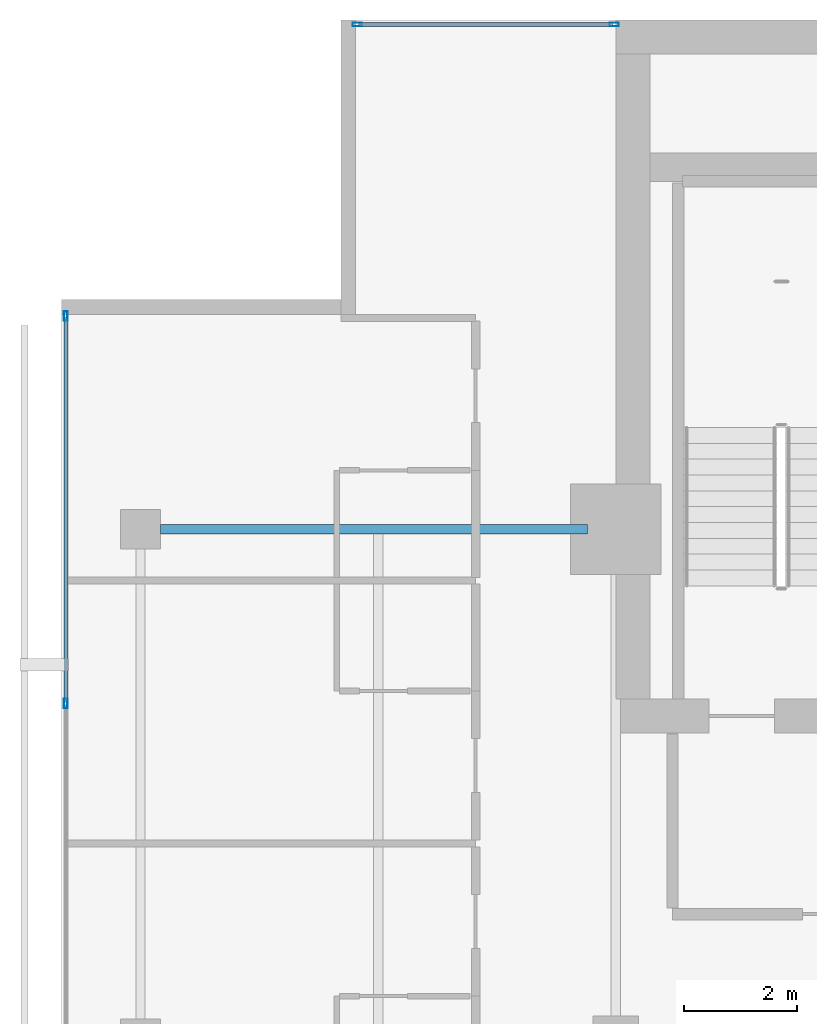
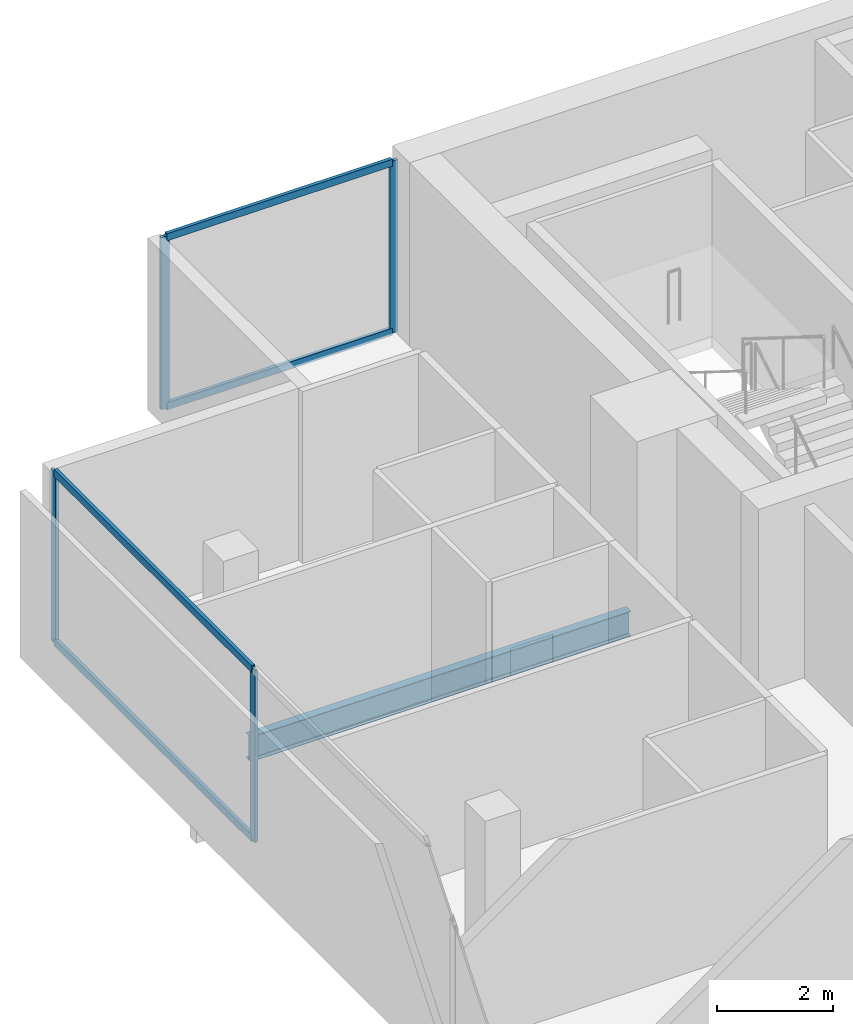
# One storey, part 16 of 26: 8 members, 1 beam, 2 elements without a shape of their own.
"""IFC4 building model written with IfcOpenShell, lengths in metres."""

from ifc_helpers import new_model, si_unit, direction, frame, origin, origin_2d, place, context, subcontext, project, spatial, hollow_rectangle, i_section, extrude, material, layer, layer_set, material_profile, profile_set, type_object, element, aggregate, save


model = new_model("IFC4")

# Units and contexts
model_context = context("Model", 3, precision=1e-05, world=origin(), true_north=direction((0.0, 1.0)))
body_context = subcontext(model_context, "Body", "Model", "MODEL_VIEW")
ifc_project = project(units=[si_unit("LENGTHUNIT", "METRE"), si_unit("AREAUNIT", "SQUARE_METRE"), si_unit("VOLUMEUNIT", "CUBIC_METRE"), si_unit("PLANEANGLEUNIT", "RADIAN"), si_unit("MASSUNIT", "GRAM", prefix="KILO")], contexts=[model_context])

# Site, building, storey
site_placement = place(None, origin())
site = spatial("IfcSite", under=ifc_project, at=site_placement, CompositionType="ELEMENT")
building_placement = place(site_placement, origin())
building = spatial("IfcBuilding", under=site, at=building_placement, Name="Maruvema Waterfront Hotel and Observation Tower", CompositionType="ELEMENT")
storey_placement = place(building_placement, frame((0.0, 0.0, 289.449951171875)))
storey = spatial("IfcBuildingStorey", under=building, at=storey_placement, Name="L71", CompositionType="ELEMENT", Elevation=289.449951171875)

# Curtain wall, members
ifc_material_1 = material(Name="Anodised bronze aluminium and solar-control low-E IGU", Category="aluminium")
ifc_layer = layer(ifc_material_1, 0.159912109375, Name="Zone 3 Champagne Inner Thermal Curtain Wall System CW-04")
ifc_layer_set = layer_set([ifc_layer], Name="Anodised bronze aluminium and solar-control low-E IGU")
curtain_wall_type = type_object("IfcCurtainWallType", Name="Zone 3 Champagne Inner Thermal Curtain Wall System CW-04", PredefinedType="USERDEFINED", material=ifc_layer_set)
curtain_wall_1_placement = place(storey_placement, origin())
curtain_wall_1 = element("IfcCurtainWall", 1, at=curtain_wall_1_placement, inside=storey, type_object=curtain_wall_type, Name="L71 Curtain Wall CW-L71-W", ObjectType="UNITISED CURTAIN WALL", PredefinedType="USERDEFINED")
ifc_material_2 = material(Name="Anodised architectural bronze aluminium", Category="aluminium")
ifc_material_profile_1 = material_profile(ifc_material_2, hollow_rectangle(XDim=0.070068359375, YDim=0.14990234375, WallThickness=0.00390625, at=origin_2d()), Name="ALU-T70x150")
ifc_profile_set_1 = profile_set([ifc_material_profile_1], Name="Anodised architectural bronze aluminium")
member_type_1 = type_object("IfcMemberType", Name="Curtain Wall Horizontal Transom ALU-T70x150", PredefinedType="USERDEFINED", material=ifc_profile_set_1)
member_1_placement = place(storey_placement, frame((15.47998046875, 48.739990234375, 0.030029296875), z_axis=(0.0, -1.0, 0.0), x_axis=(1.0, 0.0, 0.0)))
member_1 = element("IfcMember", 2, at=member_1_placement, type_object=member_type_1, Name="CW-04 transom 1.1", ObjectType="TRANSOM", PredefinedType="USERDEFINED", context=body_context, shape_type="SweptSolid", body=[
    extrude(hollow_rectangle(XDim=0.070068359375, YDim=0.14990234375, WallThickness=0.00390625, at=origin_2d()), origin(), (0.0, 0.0, 1.0), 6.7900390625),
])
member_2_placement = place(storey_placement, frame((15.47998046875, 48.739990234375, 3.580078125), z_axis=(0.0, -1.0, 0.0), x_axis=(1.0, 0.0, 0.0)))
member_2 = element("IfcMember", 3, at=member_2_placement, type_object=member_type_1, Name="CW-04 transom 1.2", ObjectType="TRANSOM", PredefinedType="USERDEFINED", context=body_context, shape_type="SweptSolid", body=[
    extrude(hollow_rectangle(XDim=0.070068359375, YDim=0.14990234375, WallThickness=0.00390625, at=origin_2d()), origin(), (0.0, 0.0, 1.0), 6.7900390625),
])

curtain_wall_2_placement = place(storey_placement, origin())
curtain_wall_2 = element("IfcCurtainWall", 4, at=curtain_wall_2_placement, inside=storey, type_object=curtain_wall_type, Name="L71 Curtain Wall CW-L71-NW", ObjectType="UNITISED CURTAIN WALL", PredefinedType="USERDEFINED")
member_3_placement = place(storey_placement, frame((25.139892578125, 53.919921875, 0.030029296875), z_axis=(-1.0, 0.0, 0.0), x_axis=(0.0, -1.0, 0.0)))
member_3 = element("IfcMember", 5, at=member_3_placement, type_object=member_type_1, Name="CW-04 transom 1.1", ObjectType="TRANSOM", PredefinedType="USERDEFINED", context=body_context, shape_type="SweptSolid", body=[
    extrude(hollow_rectangle(XDim=0.070068359375, YDim=0.14990234375, WallThickness=0.00390625, at=origin_2d()), origin(), (0.0, 0.0, 1.0), 4.47998046875),
])
member_4_placement = place(storey_placement, frame((25.139892578125, 53.919921875, 3.580078125), z_axis=(-1.0, 0.0, 0.0), x_axis=(0.0, -1.0, 0.0)))
member_4 = element("IfcMember", 6, at=member_4_placement, type_object=member_type_1, Name="CW-04 transom 1.2", ObjectType="TRANSOM", PredefinedType="USERDEFINED", context=body_context, shape_type="SweptSolid", body=[
    extrude(hollow_rectangle(XDim=0.070068359375, YDim=0.14990234375, WallThickness=0.00390625, at=origin_2d()), origin(), (0.0, 0.0, 1.0), 4.47998046875),
])

# Member
ifc_material_3 = material(Name="Anodised architectural bronze aluminium", Category="aluminium")
ifc_material_profile_2 = material_profile(ifc_material_3, hollow_rectangle(XDim=0.06494140625, YDim=0.1650390625, WallThickness=0.00390625, at=origin_2d()), Name="ALU-M65x165")
ifc_profile_set_2 = profile_set([ifc_material_profile_2], Name="Anodised architectural bronze aluminium")
member_type_2 = type_object("IfcMemberType", Name="Curtain Wall Primary Mullion ALU-M65x165", PredefinedType="MULLION", material=ifc_profile_set_2)
member_5_placement = place(storey_placement, frame((15.47998046875, 48.77001953125, 0.0), z_axis=(0.0, 0.0, 1.0), x_axis=(1.0, 0.0, 0.0)))
member_5 = element("IfcMember", 7, at=member_5_placement, type_object=member_type_2, Name="CW-04 mullion 1", PredefinedType="MULLION", context=body_context, shape_type="SweptSolid", body=[
    extrude(hollow_rectangle(XDim=0.06494140625, YDim=0.1650390625, WallThickness=0.00390625, at=origin_2d()), origin(), (0.0, 0.0, 1.0), 3.610107421875),
])

member_6_placement = place(storey_placement, frame((15.47998046875, 41.919921875, 0.0), z_axis=(0.0, 0.0, 1.0), x_axis=(1.0, 0.0, 0.0)))
member_6 = element("IfcMember", 8, at=member_6_placement, type_object=member_type_2, Name="CW-04 mullion 2", PredefinedType="MULLION", context=body_context, shape_type="SweptSolid", body=[
    extrude(hollow_rectangle(XDim=0.06494140625, YDim=0.1650390625, WallThickness=0.00390625, at=origin_2d()), origin(), (0.0, 0.0, 1.0), 3.610107421875),
])

aggregate(curtain_wall_1, [member_5, member_6, member_1, member_2])

member_7_placement = place(storey_placement, frame((25.169921875, 53.919921875, 0.0), z_axis=(0.0, 0.0, 1.0), x_axis=(0.0, -1.0, 0.0)))
member_7 = element("IfcMember", 9, at=member_7_placement, type_object=member_type_2, Name="CW-04 mullion 1", PredefinedType="MULLION", context=body_context, shape_type="SweptSolid", body=[
    extrude(hollow_rectangle(XDim=0.06494140625, YDim=0.1650390625, WallThickness=0.00390625, at=origin_2d()), origin(), (0.0, 0.0, 1.0), 3.610107421875),
])

member_8_placement = place(storey_placement, frame((20.6298828125, 53.919921875, 0.0), z_axis=(0.0, 0.0, 1.0), x_axis=(0.0, -1.0, 0.0)))
member_8 = element("IfcMember", 10, at=member_8_placement, type_object=member_type_2, Name="CW-04 mullion 2", PredefinedType="MULLION", context=body_context, shape_type="SweptSolid", body=[
    extrude(hollow_rectangle(XDim=0.06494140625, YDim=0.1650390625, WallThickness=0.00390625, at=origin_2d()), origin(), (0.0, 0.0, 1.0), 3.610107421875),
])

aggregate(curtain_wall_2, [member_7, member_8, member_3, member_4])

# Beam
ifc_material_4 = material(Name="Steel ASTM A572 Grade 50", Category="steel")
ifc_material_profile_3 = material_profile(ifc_material_4, i_section(OverallWidth=0.166015625, OverallDepth=0.529052734375, WebThickness=0.009765625, FlangeThickness=0.013671875, FilletRadius=0.014892578125, at=origin_2d()), Name="W530x74.0")
ifc_profile_set_3 = profile_set([ifc_material_profile_3], Name="Steel ASTM A572 Grade 50")
beam_type = type_object("IfcBeamType", Name="Primary Floor Girder W530x74.0", PredefinedType="BEAM", material=ifc_profile_set_3)
beam_placement = place(storey_placement, frame((17.14990234375, 45.0, -0.50439453125), z_axis=(1.0, 0.0, 0.0), x_axis=(0.0, 1.0, 0.0)))
element("IfcBeam", 11, at=beam_placement, inside=storey, type_object=beam_type, Name="L71 Floor Girder EW-17", PredefinedType="BEAM", context=body_context, shape_type="SweptSolid", body=[
    extrude(i_section(OverallWidth=0.166015625, OverallDepth=0.529052734375, WebThickness=0.009765625, FlangeThickness=0.013671875, FilletRadius=0.014892578125, at=origin_2d()), origin(), (0.0, 0.0, 1.0), 7.550048828125),
])

save(model, "model.ifc")
